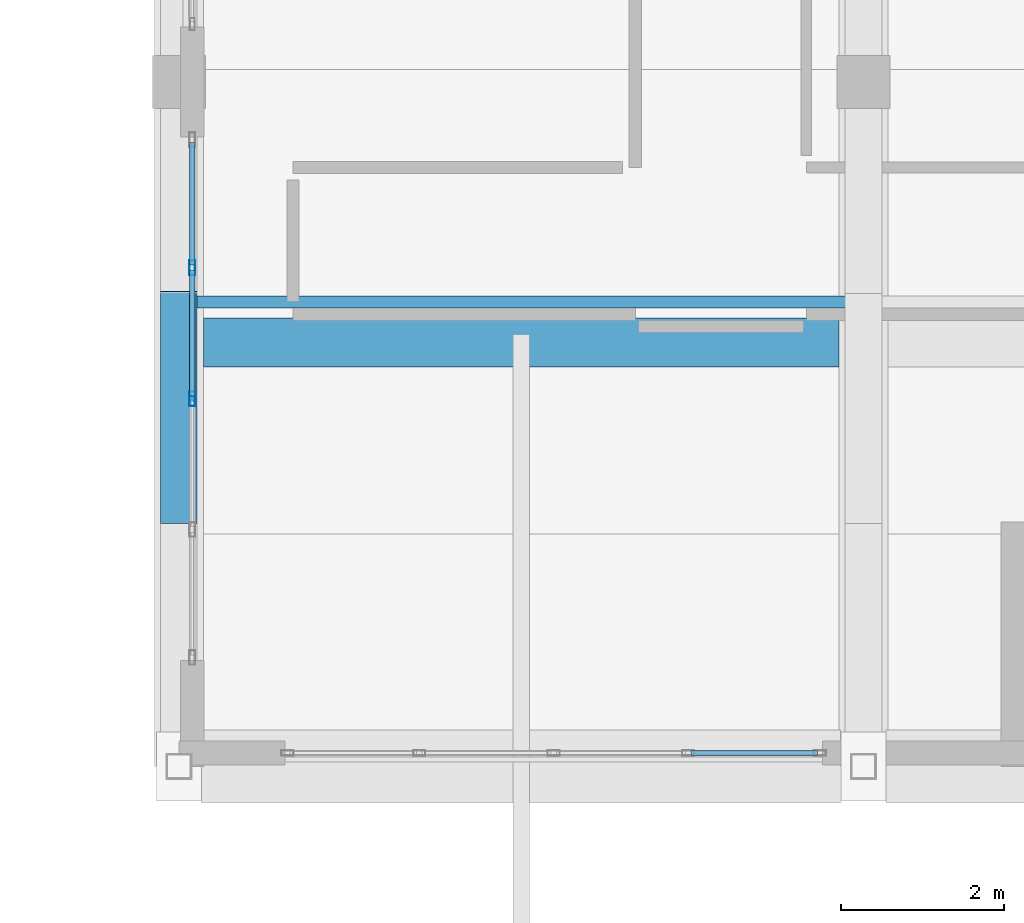
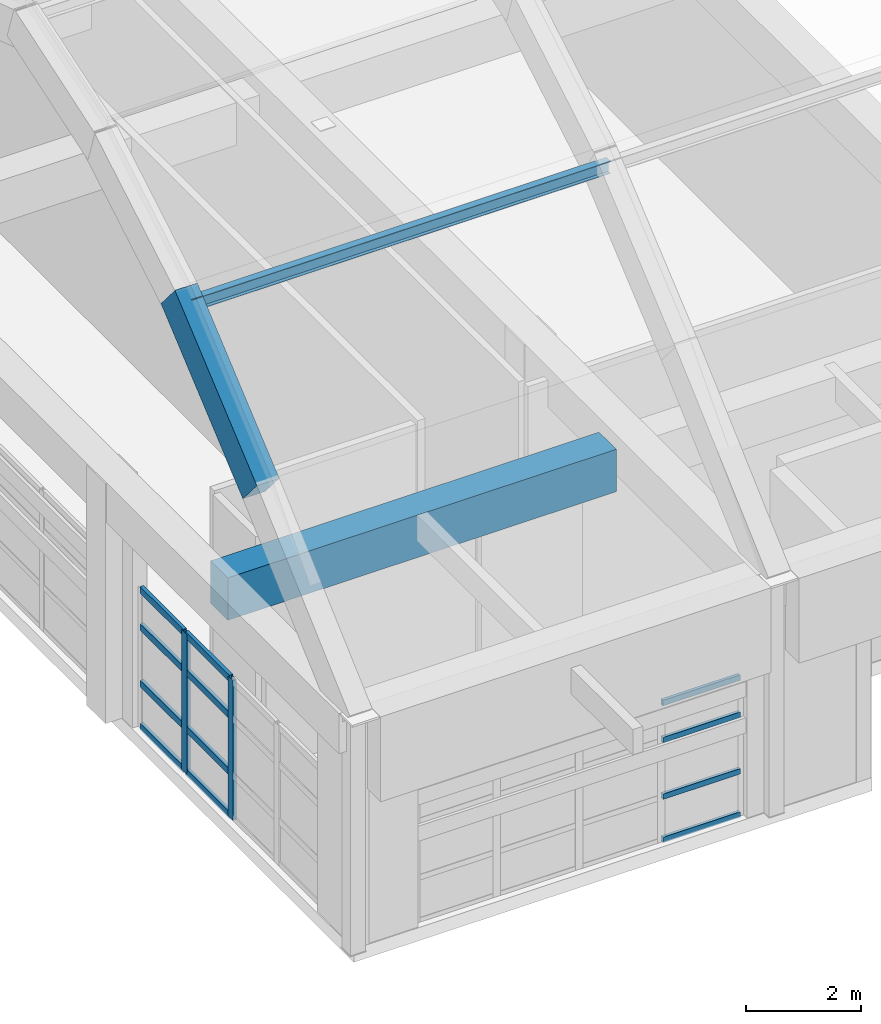
# One storey, part 28 of 103: 15 members, 2 beams, 2 elements without a shape of their own.
"""IFC4 building model written with IfcOpenShell, lengths in metres."""

from ifc_helpers import new_model, si_unit, direction, frame, origin, origin_2d, place, context, subcontext, project, spatial, rectangle, hollow_rectangle, i_section, extrude, material, layer, layer_set, material_profile, profile_set, type_object, element, aggregate, save


model = new_model("IFC4")

# Units and contexts
model_context = context("Model", 3, precision=1e-05, world=origin(), true_north=direction((0.0, 1.0)))
body_context = subcontext(model_context, "Body", "Model", "MODEL_VIEW")
ifc_project = project(units=[si_unit("LENGTHUNIT", "METRE"), si_unit("AREAUNIT", "SQUARE_METRE"), si_unit("VOLUMEUNIT", "CUBIC_METRE"), si_unit("PLANEANGLEUNIT", "RADIAN"), si_unit("MASSUNIT", "GRAM", prefix="KILO")], contexts=[model_context])

# Site, building, storey
site_placement = place(None, origin())
site = spatial("IfcSite", under=ifc_project, at=site_placement, CompositionType="ELEMENT")
building_placement = place(site_placement, origin())
building = spatial("IfcBuilding", under=site, at=building_placement, Name="Quendrovan Civic Courthouse", CompositionType="ELEMENT")
storey_placement = place(building_placement, frame((0.0, 0.0, 15.300048828125)))
storey = spatial("IfcBuildingStorey", under=building, at=storey_placement, Name="L04", CompositionType="ELEMENT", Elevation=15.300048828125)

# Beams
ifc_material_1 = material(Name="Concrete C40/50", Category="concrete")
ifc_material_profile_1 = material_profile(ifc_material_1, rectangle(XDim=0.60009765625, YDim=0.89990234375, at=origin_2d()), Name="RC-BM-600x900")
ifc_profile_set_1 = profile_set([ifc_material_profile_1], Name="Concrete C40/50")
beam_type_1 = type_object("IfcBeamType", Name="BM-RC900", PredefinedType="BEAM", material=ifc_profile_set_1)
beam_1_placement = place(storey_placement, frame((33.89990234375, 70.0, 4.349853515625), z_axis=(1.0, 0.0, 0.0), x_axis=(0.0, 1.0, 0.0)))
element("IfcBeam", 1, at=beam_1_placement, inside=storey, type_object=beam_type_1, Name="BV2 Eave Backspan Collector Beam S-B1", PredefinedType="BEAM", context=body_context, shape_type="SweptSolid", body=[
    extrude(rectangle(XDim=0.60009765625, YDim=0.89990234375, at=origin_2d()), origin(), (0.0, 0.0, 1.0), 7.800048828125),
])
ifc_material_profile_2 = material_profile(ifc_material_1, rectangle(XDim=0.449951171875, YDim=0.75, at=origin_2d()), Name="RC-VRIB-450x750")
ifc_profile_set_2 = profile_set([ifc_material_profile_2], Name="Concrete C40/50")
beam_type_2 = type_object("IfcBeamType", Name="BM-VRIB750", PredefinedType="BEAM", material=ifc_profile_set_2)
beam_2_placement = place(storey_placement, frame((33.60009765625, 68.022216796875, 7.818603515625), z_axis=(0.0, 0.762391958025, 0.647115524724), x_axis=(-1.0, 0.0, 0.0)))
element("IfcBeam", 2, at=beam_2_placement, inside=storey, type_object=beam_type_2, Name="BV2 Concrete Vault Arch Rib A1-C2", PredefinedType="BEAM", context=body_context, shape_type="SweptSolid", body=[
    extrude(rectangle(XDim=0.449951171875, YDim=0.75, at=origin_2d()), origin(), (0.0, 0.0, 1.0), 3.738037109375),
])

# Curtain wall, members
ifc_material_2 = material(Name="Bronze anodised aluminium and low-E glass", Category="aluminium")
ifc_layer_1 = layer(ifc_material_2, 0.179931640625, Name="Bronze anodised aluminium and low-E glass")
ifc_layer_set_1 = layer_set([ifc_layer_1], Name="Bronze anodised aluminium and low-E glass")
curtain_wall_type_1 = type_object("IfcCurtainWallType", Name="CW-U64x30", PredefinedType="USERDEFINED", material=ifc_layer_set_1)
curtain_wall_1_placement = place(storey_placement, origin())
curtain_wall_1 = element("IfcCurtainWall", 3, at=curtain_wall_1_placement, inside=storey, type_object=curtain_wall_type_1, Name="L04 Unitised Hurricane Curtain Wall CW-164", ObjectType="UNITISED CURTAIN WALL", PredefinedType="USERDEFINED")
ifc_material_3 = material(Name="Bronze anodised aluminium", Category="aluminium")
ifc_material_profile_3 = material_profile(ifc_material_3, hollow_rectangle(XDim=0.070068359375, YDim=0.179931640625, WallThickness=0.00390625, at=origin_2d()), Name="CW-MULL-70x180")
ifc_profile_set_3 = profile_set([ifc_material_profile_3], Name="Bronze anodised aluminium")
member_type_1 = type_object("IfcMemberType", Name="CW-MULL-A", PredefinedType="MULLION", material=ifc_profile_set_3)
member_1_placement = place(storey_placement, frame((33.764892578125, 69.3125, 0.0), z_axis=(0.0, 0.0, 1.0), x_axis=(-1.0, 0.0, 0.0)))
member_1 = element("IfcMember", 4, at=member_1_placement, type_object=member_type_1, Name="CW-164 mullion 3", PredefinedType="MULLION", context=body_context, shape_type="SweptSolid", body=[
    extrude(hollow_rectangle(XDim=0.070068359375, YDim=0.179931640625, WallThickness=0.00390625, at=origin_2d()), origin(), (0.0, 0.0, 1.0), 2.969970703125),
])
member_2_placement = place(storey_placement, frame((33.764892578125, 70.918701171875, 0.0), z_axis=(0.0, 0.0, 1.0), x_axis=(-1.0, 0.0, 0.0)))
member_2 = element("IfcMember", 5, at=member_2_placement, type_object=member_type_1, Name="CW-164 mullion 4", PredefinedType="MULLION", context=body_context, shape_type="SweptSolid", body=[
    extrude(hollow_rectangle(XDim=0.070068359375, YDim=0.179931640625, WallThickness=0.00390625, at=origin_2d()), origin(), (0.0, 0.0, 1.0), 2.969970703125),
])
ifc_material_profile_4 = material_profile(ifc_material_3, hollow_rectangle(XDim=0.070068359375, YDim=0.139892578125, WallThickness=0.00390625, at=origin_2d()), Name="CW-TRAN-70x140")
ifc_profile_set_4 = profile_set([ifc_material_profile_4], Name="Bronze anodised aluminium")
member_type_2 = type_object("IfcMemberType", Name="CW-TRAN-A", PredefinedType="USERDEFINED", material=ifc_profile_set_4)
member_3_placement = place(storey_placement, frame((33.764892578125, 69.347412109375, 0.034912109375), z_axis=(0.0, 1.0, 0.0), x_axis=(-1.0, 0.0, 0.0)))
member_3 = element("IfcMember", 6, at=member_3_placement, type_object=member_type_2, Name="CW-164 transom 3.1", ObjectType="TRANSOM", PredefinedType="USERDEFINED", context=body_context, shape_type="SweptSolid", body=[
    extrude(hollow_rectangle(XDim=0.070068359375, YDim=0.139892578125, WallThickness=0.00390625, at=origin_2d()), origin(), (0.0, 0.0, 1.0), 1.536376953125),
])
member_4_placement = place(storey_placement, frame((33.764892578125, 69.347412109375, 0.949951171875), z_axis=(0.0, 1.0, 0.0), x_axis=(-1.0, 0.0, 0.0)))
member_4 = element("IfcMember", 7, at=member_4_placement, type_object=member_type_2, Name="CW-164 transom 3.2", ObjectType="TRANSOM", PredefinedType="USERDEFINED", context=body_context, shape_type="SweptSolid", body=[
    extrude(hollow_rectangle(XDim=0.070068359375, YDim=0.139892578125, WallThickness=0.00390625, at=origin_2d()), origin(), (0.0, 0.0, 1.0), 1.536376953125),
])
member_5_placement = place(storey_placement, frame((33.764892578125, 69.347412109375, 2.14990234375), z_axis=(0.0, 1.0, 0.0), x_axis=(-1.0, 0.0, 0.0)))
member_5 = element("IfcMember", 8, at=member_5_placement, type_object=member_type_2, Name="CW-164 transom 3.3", ObjectType="TRANSOM", PredefinedType="USERDEFINED", context=body_context, shape_type="SweptSolid", body=[
    extrude(hollow_rectangle(XDim=0.070068359375, YDim=0.139892578125, WallThickness=0.00390625, at=origin_2d()), origin(), (0.0, 0.0, 1.0), 1.536376953125),
])
member_6_placement = place(storey_placement, frame((33.764892578125, 69.347412109375, 2.93505859375), z_axis=(0.0, 1.0, 0.0), x_axis=(-1.0, 0.0, 0.0)))
member_6 = element("IfcMember", 9, at=member_6_placement, type_object=member_type_2, Name="CW-164 transom 3.4", ObjectType="TRANSOM", PredefinedType="USERDEFINED", context=body_context, shape_type="SweptSolid", body=[
    extrude(hollow_rectangle(XDim=0.070068359375, YDim=0.139892578125, WallThickness=0.00390625, at=origin_2d()), origin(), (0.0, 0.0, 1.0), 1.536376953125),
])
member_7_placement = place(storey_placement, frame((33.764892578125, 70.953857421875, 0.034912109375), z_axis=(0.0, 1.0, 0.0), x_axis=(-1.0, 0.0, 0.0)))
member_7 = element("IfcMember", 10, at=member_7_placement, type_object=member_type_2, Name="CW-164 transom 4.1", ObjectType="TRANSOM", PredefinedType="USERDEFINED", context=body_context, shape_type="SweptSolid", body=[
    extrude(hollow_rectangle(XDim=0.070068359375, YDim=0.139892578125, WallThickness=0.00390625, at=origin_2d()), origin(), (0.0, 0.0, 1.0), 1.501220703125),
])
member_8_placement = place(storey_placement, frame((33.764892578125, 70.953857421875, 0.949951171875), z_axis=(0.0, 1.0, 0.0), x_axis=(-1.0, 0.0, 0.0)))
member_8 = element("IfcMember", 11, at=member_8_placement, type_object=member_type_2, Name="CW-164 transom 4.2", ObjectType="TRANSOM", PredefinedType="USERDEFINED", context=body_context, shape_type="SweptSolid", body=[
    extrude(hollow_rectangle(XDim=0.070068359375, YDim=0.139892578125, WallThickness=0.00390625, at=origin_2d()), origin(), (0.0, 0.0, 1.0), 1.501220703125),
])
member_9_placement = place(storey_placement, frame((33.764892578125, 70.953857421875, 2.14990234375), z_axis=(0.0, 1.0, 0.0), x_axis=(-1.0, 0.0, 0.0)))
member_9 = element("IfcMember", 12, at=member_9_placement, type_object=member_type_2, Name="CW-164 transom 4.3", ObjectType="TRANSOM", PredefinedType="USERDEFINED", context=body_context, shape_type="SweptSolid", body=[
    extrude(hollow_rectangle(XDim=0.070068359375, YDim=0.139892578125, WallThickness=0.00390625, at=origin_2d()), origin(), (0.0, 0.0, 1.0), 1.501220703125),
])
member_10_placement = place(storey_placement, frame((33.764892578125, 70.953857421875, 2.93505859375), z_axis=(0.0, 1.0, 0.0), x_axis=(-1.0, 0.0, 0.0)))
member_10 = element("IfcMember", 13, at=member_10_placement, type_object=member_type_2, Name="CW-164 transom 4.4", ObjectType="TRANSOM", PredefinedType="USERDEFINED", context=body_context, shape_type="SweptSolid", body=[
    extrude(hollow_rectangle(XDim=0.070068359375, YDim=0.139892578125, WallThickness=0.00390625, at=origin_2d()), origin(), (0.0, 0.0, 1.0), 1.501220703125),
])
aggregate(curtain_wall_1, [member_1, member_2, member_3, member_4, member_5, member_6, member_7, member_8, member_9, member_10])

ifc_layer_2 = layer(ifc_material_2, 0.179931640625, Name="Bronze anodised aluminium and low-E glass")
ifc_layer_set_2 = layer_set([ifc_layer_2], Name="Bronze anodised aluminium and low-E glass")
curtain_wall_type_2 = type_object("IfcCurtainWallType", Name="CW-U66x30", PredefinedType="USERDEFINED", material=ifc_layer_set_2)
curtain_wall_2_placement = place(storey_placement, origin())
curtain_wall_2 = element("IfcCurtainWall", 14, at=curtain_wall_2_placement, inside=storey, type_object=curtain_wall_type_2, Name="L04 Unitised Hurricane Curtain Wall CW-163", ObjectType="UNITISED CURTAIN WALL", PredefinedType="USERDEFINED")
ifc_material_profile_5 = material_profile(ifc_material_3, hollow_rectangle(XDim=0.06494140625, YDim=0.114990234375, WallThickness=0.00390625, at=origin_2d()), Name="CW-TRAN-65x115")
ifc_profile_set_5 = profile_set([ifc_material_profile_5], Name="Bronze anodised aluminium")
member_type_3 = type_object("IfcMemberType", Name="CW-TRAN-B", PredefinedType="USERDEFINED", material=ifc_profile_set_5)
member_11_placement = place(storey_placement, frame((41.43505859375, 64.965087890625, 0.032470703125), z_axis=(-1.0, 0.0, 0.0), x_axis=(0.0, -1.0, 0.0)))
member_11 = element("IfcMember", 15, at=member_11_placement, type_object=member_type_3, Name="CW-163 transom 1.1", ObjectType="TRANSOM", PredefinedType="USERDEFINED", context=body_context, shape_type="SweptSolid", body=[
    extrude(hollow_rectangle(XDim=0.06494140625, YDim=0.114990234375, WallThickness=0.00390625, at=origin_2d()), origin(), (0.0, 0.0, 1.0), 1.552490234375),
])
member_12_placement = place(storey_placement, frame((41.43505859375, 64.965087890625, 0.949951171875), z_axis=(-1.0, 0.0, 0.0), x_axis=(0.0, -1.0, 0.0)))
member_12 = element("IfcMember", 16, at=member_12_placement, type_object=member_type_3, Name="CW-163 transom 1.2", ObjectType="TRANSOM", PredefinedType="USERDEFINED", context=body_context, shape_type="SweptSolid", body=[
    extrude(hollow_rectangle(XDim=0.06494140625, YDim=0.114990234375, WallThickness=0.00390625, at=origin_2d()), origin(), (0.0, 0.0, 1.0), 1.552490234375),
])
member_13_placement = place(storey_placement, frame((41.43505859375, 64.965087890625, 2.14990234375), z_axis=(-1.0, 0.0, 0.0), x_axis=(0.0, -1.0, 0.0)))
member_13 = element("IfcMember", 17, at=member_13_placement, type_object=member_type_3, Name="CW-163 transom 1.3", ObjectType="TRANSOM", PredefinedType="USERDEFINED", context=body_context, shape_type="SweptSolid", body=[
    extrude(hollow_rectangle(XDim=0.06494140625, YDim=0.114990234375, WallThickness=0.00390625, at=origin_2d()), origin(), (0.0, 0.0, 1.0), 1.552490234375),
])
member_14_placement = place(storey_placement, frame((41.43505859375, 64.965087890625, 2.9375), z_axis=(-1.0, 0.0, 0.0), x_axis=(0.0, -1.0, 0.0)))
member_14 = element("IfcMember", 18, at=member_14_placement, type_object=member_type_3, Name="CW-163 transom 1.4", ObjectType="TRANSOM", PredefinedType="USERDEFINED", context=body_context, shape_type="SweptSolid", body=[
    extrude(hollow_rectangle(XDim=0.06494140625, YDim=0.114990234375, WallThickness=0.00390625, at=origin_2d()), origin(), (0.0, 0.0, 1.0), 1.552490234375),
])
aggregate(curtain_wall_2, [member_11, member_12, member_13, member_14])

# Member
ifc_material_4 = material(Name="Steel ASTM A992 Grade 50", Category="steel")
ifc_material_profile_6 = material_profile(ifc_material_4, i_section(OverallWidth=0.14599609375, OverallDepth=0.258056640625, WebThickness=0.006103515625, FlangeThickness=0.009033203125, at=origin_2d()), Name="W250x33")
ifc_profile_set_6 = profile_set([ifc_material_profile_6], Name="Steel ASTM A992 Grade 50")
member_type_4 = type_object("IfcMemberType", Name="MEM-PUR-W250", PredefinedType="PURLIN", material=ifc_profile_set_6)
member_15_placement = place(storey_placement, frame((33.60009765625, 70.5, 10.23583984375), z_axis=(1.0, 0.0, 0.0), x_axis=(0.0, 1.0, 0.0)))
element("IfcMember", 19, at=member_15_placement, inside=storey, type_object=member_type_4, Name="BV2 Vault Longitudinal Purlin B1-1", PredefinedType="PURLIN", context=body_context, shape_type="SweptSolid", body=[
    extrude(i_section(OverallWidth=0.14599609375, OverallDepth=0.258056640625, WebThickness=0.006103515625, FlangeThickness=0.009033203125, at=origin_2d()), origin(), (0.0, 0.0, 1.0), 8.39990234375),
])

save(model, "model.ifc")
